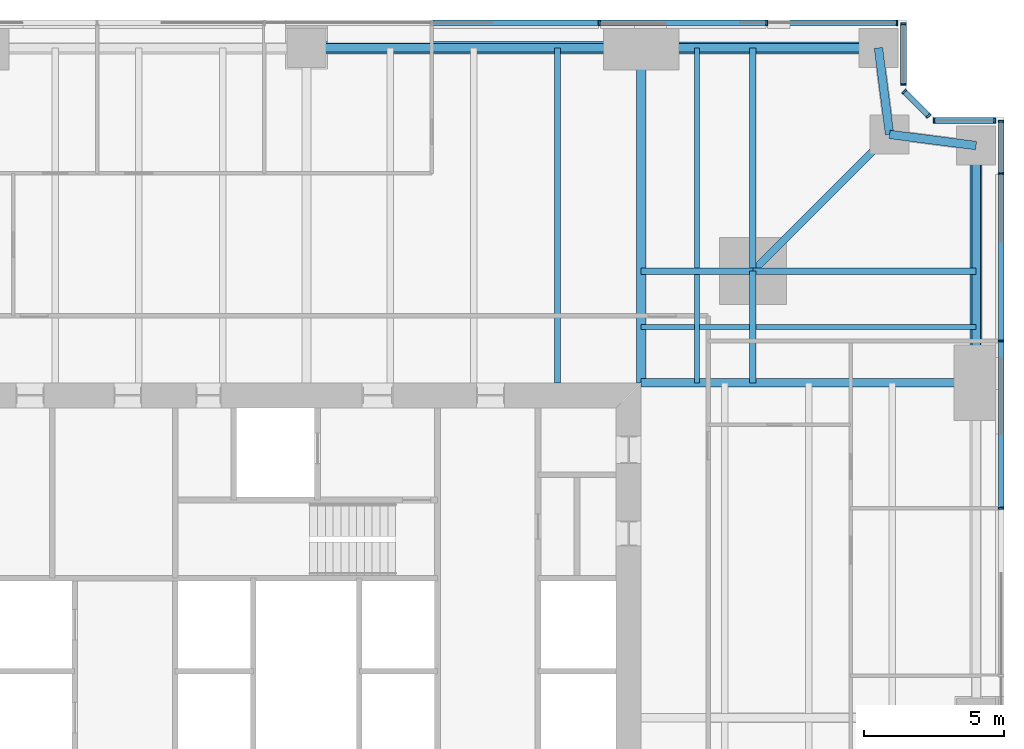
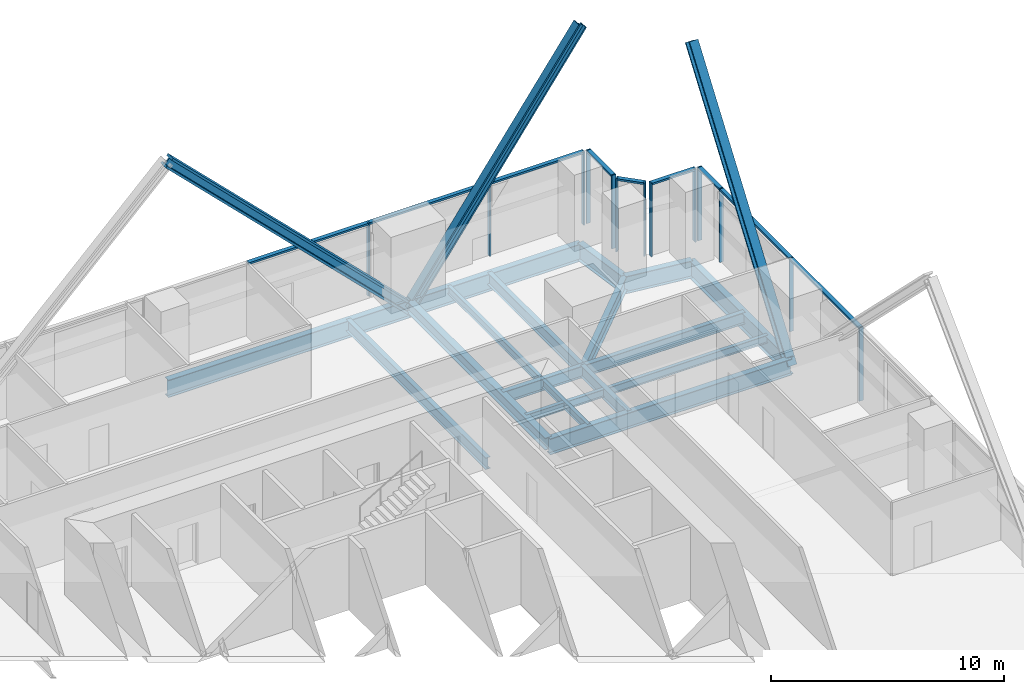
# One storey, part 7 of 14: 25 members, 18 beams, 5 elements without a shape of their own.
"""IFC4 building model written with IfcOpenShell, lengths in metres."""

from ifc_helpers import new_model, si_unit, direction, frame, origin, origin_2d, place, context, subcontext, project, spatial, rectangle, i_section, extrude, material, material_profile, profile_set, type_object, element, aggregate, save


model = new_model("IFC4")

# Units and contexts
model_context = context("Model", 3, precision=1e-05, world=origin(), true_north=direction((0.0, 1.0)))
body_context = subcontext(model_context, "Body", "Model", "MODEL_VIEW")
ifc_project = project(units=[si_unit("LENGTHUNIT", "METRE"), si_unit("AREAUNIT", "SQUARE_METRE"), si_unit("VOLUMEUNIT", "CUBIC_METRE"), si_unit("PLANEANGLEUNIT", "RADIAN"), si_unit("MASSUNIT", "GRAM", prefix="KILO")], contexts=[model_context])

# Site, building, storey
site_placement = place(None, origin())
site = spatial("IfcSite", under=ifc_project, at=site_placement, CompositionType="ELEMENT")
building_placement = place(site_placement, origin())
building = spatial("IfcBuilding", under=site, at=building_placement, Name="Fenwick Lantern Interchange", CompositionType="ELEMENT")
storey_placement = place(building_placement, frame((0.0, 0.0, 79.0)))
storey = spatial("IfcBuildingStorey", under=building, at=storey_placement, Name="L18", CompositionType="ELEMENT", Elevation=79.0)

# Beams
ifc_material_1 = material(Name="Steel ASTM A992 Grade 50", Category="steel")
ifc_material_profile_1 = material_profile(ifc_material_1, i_section(OverallWidth=0.3046875, OverallDepth=0.911865234375, WebThickness=0.015869140625, FlangeThickness=0.02392578125, at=origin_2d()), Name="W36X150")
ifc_profile_set_1 = profile_set([ifc_material_profile_1], Name="Steel ASTM A992 Grade 50")
beam_type_1 = type_object("IfcBeamType", Name="EDGE BEAM W36X150", PredefinedType="SPANDREL", material=ifc_profile_set_1)
beam_1_placement = place(storey_placement, frame((49.0, 37.0, -0.60595703125), z_axis=(0.0, 1.0, 0.0), x_axis=(-1.0, 0.0, 0.0)))
element("IfcBeam", 1, at=beam_1_placement, inside=storey, type_object=beam_type_1, Name="L18/FR/E/EB4", PredefinedType="SPANDREL", context=body_context, shape_type="SweptSolid", body=[
    extrude(i_section(OverallWidth=0.3046875, OverallDepth=0.911865234375, WebThickness=0.015869140625, FlangeThickness=0.02392578125, at=origin_2d()), origin(), (0.0, 0.0, 1.0), 8.5),
])
for number, where, z_axis, x_axis, name in (
    (2, (49.0, 45.5, -0.60595703125), (-0.991782342897, 0.127936641807, 0.0), (-0.127936641807, -0.991782342897, 0.0), "L18/FR/E/EBR1"),
    (3, (45.89990234375, 45.89990234375, -0.60595703125), (-0.127936641807, 0.991782342897, 0.0), (-0.991782342897, -0.127936641807, 0.0), "L18/FR/E/EBR2"),
):
    element("IfcBeam", number, at=place(storey_placement, frame(where, z_axis=z_axis, x_axis=x_axis)), inside=storey, type_object=beam_type_1, Name=name, PredefinedType="SPANDREL", context=body_context, shape_type="SweptSolid", body=[
        extrude(i_section(OverallWidth=0.3046875, OverallDepth=0.911865234375, WebThickness=0.015869140625, FlangeThickness=0.02392578125, at=origin_2d()), origin(), (0.0, 0.0, 1.0), 3.125732421875),
    ])
beam_2_placement = place(storey_placement, frame((45.5, 49.0, -0.60595703125), z_axis=(-1.0, 0.0, 0.0), x_axis=(0.0, -1.0, 0.0)))
element("IfcBeam", 4, at=beam_2_placement, inside=storey, type_object=beam_type_1, Name="L18/FR/N/EB1", PredefinedType="SPANDREL", context=body_context, shape_type="SweptSolid", body=[
    extrude(i_section(OverallWidth=0.3046875, OverallDepth=0.911865234375, WebThickness=0.015869140625, FlangeThickness=0.02392578125, at=origin_2d()), origin(), (0.0, 0.0, 1.0), 8.5),
])
beam_3_placement = place(storey_placement, frame((37.0, 49.0, -0.60595703125), z_axis=(-1.0, 0.0, 0.0), x_axis=(0.0, -1.0, 0.0)))
element("IfcBeam", 5, at=beam_3_placement, inside=storey, type_object=beam_type_1, Name="L18/FR/N/EB2", PredefinedType="SPANDREL", context=body_context, shape_type="SweptSolid", body=[
    extrude(i_section(OverallWidth=0.3046875, OverallDepth=0.911865234375, WebThickness=0.015869140625, FlangeThickness=0.02392578125, at=origin_2d()), origin(), (0.0, 0.0, 1.0), 12.0),
])

# Members
ifc_material_profile_2 = material_profile(ifc_material_1, i_section(OverallWidth=0.424072265625, OverallDepth=0.47509765625, WebThickness=0.0478515625, FlangeThickness=0.0771484375, at=origin_2d()), Name="W14X426")
ifc_profile_set_2 = profile_set([ifc_material_profile_2], Name="Steel ASTM A992 Grade 50")
member_type_1 = type_object("IfcMemberType", Name="FACADE BRACE W14X426", PredefinedType="BRACE", material=ifc_profile_set_2)
for number, where, z_axis, x_axis, name in (
    (6, (49.0, 37.0, -0.60595703125), (0.0, 0.581715408588, 0.813392392029), (-1.0, 0.0, 0.0), "L18/FB/E/BE"),
    (7, (37.0, 49.0, -0.60595703125), (0.581715408588, 0.0, 0.813392392029), (0.0, 1.0, 0.0), "L18/FB/N/AE"),
):
    element("IfcMember", number, at=place(storey_placement, frame(where, z_axis=z_axis, x_axis=x_axis)), inside=storey, type_object=member_type_1, Name=name, PredefinedType="BRACE", context=body_context, shape_type="SweptSolid", body=[
        extrude(i_section(OverallWidth=0.424072265625, OverallDepth=0.47509765625, WebThickness=0.0478515625, FlangeThickness=0.0771484375, at=origin_2d()), origin(), (0.0, 0.0, 1.0), 14.612060546875),
    ])
ifc_material_profile_3 = material_profile(ifc_material_1, i_section(OverallWidth=0.44189453125, OverallDepth=0.53076171875, WebThickness=0.06591796875, FlangeThickness=0.105712890625, at=origin_2d()), Name="W14X605")
ifc_profile_set_3 = profile_set([ifc_material_profile_3], Name="Steel ASTM A992 Grade 50")
member_type_2 = type_object("IfcMemberType", Name="FACADE BRACE W14X605", PredefinedType="BRACE", material=ifc_profile_set_3)
member_1_placement = place(storey_placement, frame((37.0, 49.0, -0.60595703125), z_axis=(-0.710495562956, 0.0, 0.703701680416), x_axis=(0.0, -1.0, 0.0)))
element("IfcMember", 8, at=member_1_placement, inside=storey, type_object=member_type_2, Name="L18/FB/N/A", PredefinedType="BRACE", context=body_context, shape_type="SweptSolid", body=[
    extrude(i_section(OverallWidth=0.44189453125, OverallDepth=0.53076171875, WebThickness=0.06591796875, FlangeThickness=0.105712890625, at=origin_2d()), origin(), (0.0, 0.0, 1.0), 16.8896484375),
])

# Beams
ifc_material_profile_4 = material_profile(ifc_material_1, i_section(OverallWidth=0.22900390625, OverallDepth=0.612060546875, WebThickness=0.011962890625, FlangeThickness=0.01953125, at=origin_2d()), Name="W24X84")
ifc_profile_set_4 = profile_set([ifc_material_profile_4], Name="Steel ASTM A992 Grade 50")
beam_type_2 = type_object("IfcBeamType", Name="FLOOR BEAM W24X84", PredefinedType="BEAM", material=ifc_profile_set_4)
beam_4_placement = place(storey_placement, frame((34.0, 49.0, -0.4560546875), z_axis=(0.0, -1.0, 0.0), x_axis=(1.0, 0.0, 0.0)))
element("IfcBeam", 9, at=beam_4_placement, inside=storey, type_object=beam_type_2, Name="L18/FR/N/R02", PredefinedType="BEAM", context=body_context, shape_type="SweptSolid", body=[
    extrude(i_section(OverallWidth=0.22900390625, OverallDepth=0.612060546875, WebThickness=0.011962890625, FlangeThickness=0.01953125, at=origin_2d()), origin(), (0.0, 0.0, 1.0), 12.0),
])
ifc_material_profile_5 = material_profile(ifc_material_1, i_section(OverallWidth=0.177734375, OverallDepth=0.406494140625, WebThickness=0.0078125, FlangeThickness=0.012939453125, at=origin_2d()), Name="W16X40")
ifc_profile_set_5 = profile_set([ifc_material_profile_5], Name="Steel ASTM A992 Grade 50")
beam_type_3 = type_object("IfcBeamType", Name="INFILL BEAM W16X40", PredefinedType="JOIST", material=ifc_profile_set_5)
beam_5_placement = place(storey_placement, frame((39.0, 49.0, -0.353271484375), z_axis=(0.0, -1.0, 0.0), x_axis=(1.0, 0.0, 0.0)))
element("IfcBeam", 10, at=beam_5_placement, inside=storey, type_object=beam_type_3, Name="L18/FR/N/J1", PredefinedType="JOIST", context=body_context, shape_type="SweptSolid", body=[
    extrude(i_section(OverallWidth=0.177734375, OverallDepth=0.406494140625, WebThickness=0.0078125, FlangeThickness=0.012939453125, at=origin_2d()), origin(), (0.0, 0.0, 1.0), 7.885498046875),
])
beam_6_placement = place(storey_placement, frame((39.0, 40.885498046875, -0.353271484375), z_axis=(0.0, -1.0, 0.0), x_axis=(1.0, 0.0, 0.0)))
element("IfcBeam", 11, at=beam_6_placement, inside=storey, type_object=beam_type_3, Name="L18/FR/N/J2", PredefinedType="JOIST", context=body_context, shape_type="SweptSolid", body=[
    extrude(i_section(OverallWidth=0.177734375, OverallDepth=0.406494140625, WebThickness=0.0078125, FlangeThickness=0.012939453125, at=origin_2d()), origin(), (0.0, 0.0, 1.0), 3.885498046875),
])
beam_7_placement = place(storey_placement, frame((49.0, 39.0, -0.353271484375), z_axis=(-1.0, 0.0, 0.0), x_axis=(0.0, -1.0, 0.0)))
element("IfcBeam", 12, at=beam_7_placement, inside=storey, type_object=beam_type_3, Name="L18/FR/N/J3", PredefinedType="JOIST", context=body_context, shape_type="SweptSolid", body=[
    extrude(i_section(OverallWidth=0.177734375, OverallDepth=0.406494140625, WebThickness=0.0078125, FlangeThickness=0.012939453125, at=origin_2d()), origin(), (0.0, 0.0, 1.0), 7.885498046875),
])
beam_8_placement = place(storey_placement, frame((40.885498046875, 39.0, -0.353271484375), z_axis=(-1.0, 0.0, 0.0), x_axis=(0.0, -1.0, 0.0)))
element("IfcBeam", 13, at=beam_8_placement, inside=storey, type_object=beam_type_3, Name="L18/FR/N/J4", PredefinedType="JOIST", context=body_context, shape_type="SweptSolid", body=[
    extrude(i_section(OverallWidth=0.177734375, OverallDepth=0.406494140625, WebThickness=0.0078125, FlangeThickness=0.012939453125, at=origin_2d()), origin(), (0.0, 0.0, 1.0), 1.796630859375),
])
beam_9_placement = place(storey_placement, frame((38.9111328125, 39.0, -0.353271484375), z_axis=(-1.0, 0.0, 0.0), x_axis=(0.0, -1.0, 0.0)))
element("IfcBeam", 14, at=beam_9_placement, inside=storey, type_object=beam_type_3, Name="L18/FR/N/J5", PredefinedType="JOIST", context=body_context, shape_type="SweptSolid", body=[
    extrude(i_section(OverallWidth=0.177734375, OverallDepth=0.406494140625, WebThickness=0.0078125, FlangeThickness=0.012939453125, at=origin_2d()), origin(), (0.0, 0.0, 1.0), 1.9111328125),
])
ifc_material_profile_6 = material_profile(ifc_material_1, i_section(OverallWidth=0.22900390625, OverallDepth=0.612060546875, WebThickness=0.011962890625, FlangeThickness=0.01953125, at=origin_2d()), Name="W24X84")
ifc_profile_set_6 = profile_set([ifc_material_profile_6], Name="Steel ASTM A992 Grade 50")
beam_type_4 = type_object("IfcBeamType", Name="MEGA COLUMN BEAM W24X84", PredefinedType="BEAM", material=ifc_profile_set_6)
for number, where, z_axis, x_axis, name in (
    (15, (41.0, 41.0, -0.4560546875), (0.0, 1.0, 0.0), (-1.0, 0.0, 0.0), "L18/FR/N/MB1"),
    (16, (41.0, 41.0, -0.4560546875), (1.0, 0.0, 0.0), (0.0, 1.0, 0.0), "L18/FR/N/MB2"),
):
    element("IfcBeam", number, at=place(storey_placement, frame(where, z_axis=z_axis, x_axis=x_axis)), inside=storey, type_object=beam_type_4, Name=name, PredefinedType="BEAM", context=body_context, shape_type="SweptSolid", body=[
        extrude(i_section(OverallWidth=0.22900390625, OverallDepth=0.612060546875, WebThickness=0.011962890625, FlangeThickness=0.01953125, at=origin_2d()), origin(), (0.0, 0.0, 1.0), 8.0),
    ])
for number, where, z_axis, x_axis, name in (
    (17, (41.0, 41.0, -0.4560546875), (-1.0, 0.0, 0.0), (0.0, -1.0, 0.0), "L18/FR/N/MB3"),
    (18, (41.0, 41.0, -0.4560546875), (0.0, -1.0, 0.0), (1.0, 0.0, 0.0), "L18/FR/N/MB4"),
):
    element("IfcBeam", number, at=place(storey_placement, frame(where, z_axis=z_axis, x_axis=x_axis)), inside=storey, type_object=beam_type_4, Name=name, PredefinedType="BEAM", context=body_context, shape_type="SweptSolid", body=[
        extrude(i_section(OverallWidth=0.22900390625, OverallDepth=0.612060546875, WebThickness=0.011962890625, FlangeThickness=0.01953125, at=origin_2d()), origin(), (0.0, 0.0, 1.0), 4.0),
    ])
ifc_material_profile_7 = material_profile(ifc_material_1, i_section(OverallWidth=0.32763671875, OverallDepth=0.622314453125, WebThickness=0.015380859375, FlangeThickness=0.0244140625, at=origin_2d()), Name="W24X131")
ifc_profile_set_7 = profile_set([ifc_material_profile_7], Name="Steel ASTM A992 Grade 50")
beam_type_5 = type_object("IfcBeamType", Name="MOMENT-CONNECTED GIRDER W24X131", PredefinedType="BEAM", material=ifc_profile_set_7)
beam_10_placement = place(storey_placement, frame((37.0, 49.0, -0.461181640625), z_axis=(0.0, -1.0, 0.0), x_axis=(1.0, 0.0, 0.0)))
element("IfcBeam", 19, at=beam_10_placement, inside=storey, type_object=beam_type_5, Name="L18/FR/N/R01", PredefinedType="BEAM", context=body_context, shape_type="SweptSolid", body=[
    extrude(i_section(OverallWidth=0.32763671875, OverallDepth=0.622314453125, WebThickness=0.015380859375, FlangeThickness=0.0244140625, at=origin_2d()), origin(), (0.0, 0.0, 1.0), 12.0),
])
ifc_material_profile_8 = material_profile(ifc_material_1, i_section(OverallWidth=0.2919921875, OverallDepth=0.845703125, WebThickness=0.015380859375, FlangeThickness=0.0244140625, at=origin_2d()), Name="W33X141")
ifc_profile_set_8 = profile_set([ifc_material_profile_8], Name="Steel ASTM A992 Grade 50")
beam_type_6 = type_object("IfcBeamType", Name="MOMENT-CONNECTED GIRDER W33X141", PredefinedType="BEAM", material=ifc_profile_set_8)
beam_11_placement = place(storey_placement, frame((49.0, 37.0, -0.572998046875), z_axis=(-1.0, 0.0, 0.0), x_axis=(0.0, -1.0, 0.0)))
element("IfcBeam", 20, at=beam_11_placement, inside=storey, type_object=beam_type_6, Name="L18/FR/E/R03", PredefinedType="BEAM", context=body_context, shape_type="SweptSolid", body=[
    extrude(i_section(OverallWidth=0.2919921875, OverallDepth=0.845703125, WebThickness=0.015380859375, FlangeThickness=0.0244140625, at=origin_2d()), origin(), (0.0, 0.0, 1.0), 12.0),
])
ifc_material_profile_9 = material_profile(ifc_material_1, i_section(OverallWidth=0.2666015625, OverallDepth=0.7568359375, WebThickness=0.013916015625, FlangeThickness=0.019287109375, at=origin_2d()), Name="W30X108")
ifc_profile_set_9 = profile_set([ifc_material_profile_9], Name="Steel ASTM A992 Grade 50")
beam_type_7 = type_object("IfcBeamType", Name="NOTCH BEAM W30X108", PredefinedType="BEAM", material=ifc_profile_set_9)
beam_12_placement = place(storey_placement, frame((41.0, 41.0, -0.528564453125), z_axis=(0.707106781187, 0.707106781187, 0.0), x_axis=(-0.707106781187, 0.707106781187, 0.0)))
element("IfcBeam", 21, at=beam_12_placement, inside=storey, type_object=beam_type_7, Name="L18/FR/N/TG", PredefinedType="BEAM", context=body_context, shape_type="SweptSolid", body=[
    extrude(i_section(OverallWidth=0.2666015625, OverallDepth=0.7568359375, WebThickness=0.013916015625, FlangeThickness=0.019287109375, at=origin_2d()), origin(), (0.0, 0.0, 1.0), 6.929443359375),
])

# Curtain wall, members
ifc_material_2 = material(Name="Aluminium curtain wall frame", Category="aluminium")
curtain_wall_type = type_object("IfcCurtainWallType", Name="OFFICE CURTAIN WALL", PredefinedType="USERDEFINED", material=ifc_material_2)
curtain_wall_1_placement = place(storey_placement, origin())
curtain_wall_1 = element("IfcCurtainWall", 22, at=curtain_wall_1_placement, inside=storey, type_object=curtain_wall_type, Name="Office curtain wall 05", ObjectType="OFFICE CURTAIN WALL", PredefinedType="USERDEFINED")
ifc_material_3 = material(Name="Aluminium extrusion", Category="aluminium")
ifc_material_profile_10 = material_profile(ifc_material_3, rectangle(XDim=0.199951171875, YDim=0.06494140625, at=origin_2d()), Name="OFFICE CURTAIN WALL MULLION 65 X 200")
ifc_profile_set_10 = profile_set([ifc_material_profile_10], Name="Aluminium extrusion")
member_type_3 = type_object("IfcMemberType", Name="OFFICE CURTAIN WALL MULLION 65 X 200", PredefinedType="MULLION", material=ifc_profile_set_10)
member_2_placement = place(storey_placement, frame((49.89990234375, 32.5, 0.0), z_axis=(0.0, 0.0, 1.0), x_axis=(-1.0, 0.0, 0.0)))
member_2 = element("IfcMember", 23, at=member_2_placement, type_object=member_type_3, Name="L18/CW/05/M05", PredefinedType="MULLION", context=body_context, shape_type="SweptSolid", body=[
    extrude(rectangle(XDim=0.199951171875, YDim=0.06494140625, at=origin_2d()), origin(), (0.0, 0.0, 1.0), 3.85009765625),
])
member_3_placement = place(storey_placement, frame((49.89990234375, 38.5, 0.0), z_axis=(0.0, 0.0, 1.0), x_axis=(-1.0, 0.0, 0.0)))
member_3 = element("IfcMember", 24, at=member_3_placement, type_object=member_type_3, Name="L18/CW/05/M06", PredefinedType="MULLION", context=body_context, shape_type="SweptSolid", body=[
    extrude(rectangle(XDim=0.199951171875, YDim=0.06494140625, at=origin_2d()), origin(), (0.0, 0.0, 1.0), 3.85009765625),
])
member_4_placement = place(storey_placement, frame((49.89990234375, 44.5, 0.0), z_axis=(0.0, 0.0, 1.0), x_axis=(-1.0, 0.0, 0.0)))
member_4 = element("IfcMember", 25, at=member_4_placement, type_object=member_type_3, Name="L18/CW/05/M07", PredefinedType="MULLION", context=body_context, shape_type="SweptSolid", body=[
    extrude(rectangle(XDim=0.199951171875, YDim=0.06494140625, at=origin_2d()), origin(), (0.0, 0.0, 1.0), 3.85009765625),
])
member_5_placement = place(storey_placement, frame((49.89990234375, 46.367431640625, 0.0), z_axis=(0.0, 0.0, 1.0), x_axis=(-1.0, 0.0, 0.0)))
member_5 = element("IfcMember", 26, at=member_5_placement, type_object=member_type_3, Name="L18/CW/05/M08", PredefinedType="MULLION", context=body_context, shape_type="SweptSolid", body=[
    extrude(rectangle(XDim=0.199951171875, YDim=0.06494140625, at=origin_2d()), origin(), (0.0, 0.0, 1.0), 3.85009765625),
])

curtain_wall_2_placement = place(storey_placement, origin())
curtain_wall_2 = element("IfcCurtainWall", 27, at=curtain_wall_2_placement, inside=storey, type_object=curtain_wall_type, Name="Office curtain wall 06", ObjectType="OFFICE CURTAIN WALL", PredefinedType="USERDEFINED")
member_6_placement = place(storey_placement, frame((49.66748046875, 46.39990234375, 0.0), z_axis=(0.0, 0.0, 1.0), x_axis=(0.0, -1.0, 0.0)))
member_6 = element("IfcMember", 28, at=member_6_placement, type_object=member_type_3, Name="L18/CW/06/M00", PredefinedType="MULLION", context=body_context, shape_type="SweptSolid", body=[
    extrude(rectangle(XDim=0.199951171875, YDim=0.06494140625, at=origin_2d()), origin(), (0.0, 0.0, 1.0), 3.85009765625),
])
member_7_placement = place(storey_placement, frame((47.490966796875, 46.39990234375, 0.0), z_axis=(0.0, 0.0, 1.0), x_axis=(0.0, -1.0, 0.0)))
member_7 = element("IfcMember", 29, at=member_7_placement, type_object=member_type_3, Name="L18/CW/06/M01", PredefinedType="MULLION", context=body_context, shape_type="SweptSolid", body=[
    extrude(rectangle(XDim=0.199951171875, YDim=0.06494140625, at=origin_2d()), origin(), (0.0, 0.0, 1.0), 3.85009765625),
])

curtain_wall_3_placement = place(storey_placement, origin())
curtain_wall_3 = element("IfcCurtainWall", 30, at=curtain_wall_3_placement, inside=storey, type_object=curtain_wall_type, Name="Office curtain wall 07", ObjectType="OFFICE CURTAIN WALL", PredefinedType="USERDEFINED")
member_8_placement = place(storey_placement, frame((47.294189453125, 46.564453125, 0.0), z_axis=(0.0, 0.0, 1.0), x_axis=(-0.707106781187, -0.707106781187, 0.0)))
member_8 = element("IfcMember", 31, at=member_8_placement, type_object=member_type_3, Name="L18/CW/07/M00", PredefinedType="MULLION", context=body_context, shape_type="SweptSolid", body=[
    extrude(rectangle(XDim=0.199951171875, YDim=0.06494140625, at=origin_2d()), origin(), (0.0, 0.0, 1.0), 3.85009765625),
])
member_9_placement = place(storey_placement, frame((46.423095703125, 47.435546875, 0.0), z_axis=(0.0, 0.0, 1.0), x_axis=(-0.707106781187, -0.707106781187, 0.0)))
member_9 = element("IfcMember", 32, at=member_9_placement, type_object=member_type_3, Name="L18/CW/07/M01", PredefinedType="MULLION", context=body_context, shape_type="SweptSolid", body=[
    extrude(rectangle(XDim=0.199951171875, YDim=0.06494140625, at=origin_2d()), origin(), (0.0, 0.0, 1.0), 3.85009765625),
])

curtain_wall_4_placement = place(storey_placement, origin())
curtain_wall_4 = element("IfcCurtainWall", 33, at=curtain_wall_4_placement, inside=storey, type_object=curtain_wall_type, Name="Office curtain wall 08", ObjectType="OFFICE CURTAIN WALL", PredefinedType="USERDEFINED")
member_10_placement = place(storey_placement, frame((46.39990234375, 47.691162109375, 0.0), z_axis=(0.0, 0.0, 1.0), x_axis=(-1.0, 0.0, 0.0)))
member_10 = element("IfcMember", 34, at=member_10_placement, type_object=member_type_3, Name="L18/CW/08/M00", PredefinedType="MULLION", context=body_context, shape_type="SweptSolid", body=[
    extrude(rectangle(XDim=0.199951171875, YDim=0.06494140625, at=origin_2d()), origin(), (0.0, 0.0, 1.0), 3.85009765625),
])
member_11_placement = place(storey_placement, frame((46.39990234375, 49.867431640625, 0.0), z_axis=(0.0, 0.0, 1.0), x_axis=(-1.0, 0.0, 0.0)))
member_11 = element("IfcMember", 35, at=member_11_placement, type_object=member_type_3, Name="L18/CW/08/M01", PredefinedType="MULLION", context=body_context, shape_type="SweptSolid", body=[
    extrude(rectangle(XDim=0.199951171875, YDim=0.06494140625, at=origin_2d()), origin(), (0.0, 0.0, 1.0), 3.85009765625),
])

curtain_wall_5_placement = place(storey_placement, origin())
curtain_wall_5 = element("IfcCurtainWall", 36, at=curtain_wall_5_placement, inside=storey, type_object=curtain_wall_type, Name="Office curtain wall 09", ObjectType="OFFICE CURTAIN WALL", PredefinedType="USERDEFINED")
member_12_placement = place(storey_placement, frame((46.16748046875, 49.89990234375, 0.0), z_axis=(0.0, 0.0, 1.0), x_axis=(0.0, -1.0, 0.0)))
member_12 = element("IfcMember", 37, at=member_12_placement, type_object=member_type_3, Name="L18/CW/09/M00", PredefinedType="MULLION", context=body_context, shape_type="SweptSolid", body=[
    extrude(rectangle(XDim=0.199951171875, YDim=0.06494140625, at=origin_2d()), origin(), (0.0, 0.0, 1.0), 3.85009765625),
])
member_13_placement = place(storey_placement, frame((41.5, 49.89990234375, 0.0), z_axis=(0.0, 0.0, 1.0), x_axis=(0.0, -1.0, 0.0)))
member_13 = element("IfcMember", 38, at=member_13_placement, type_object=member_type_3, Name="L18/CW/09/M01", PredefinedType="MULLION", context=body_context, shape_type="SweptSolid", body=[
    extrude(rectangle(XDim=0.199951171875, YDim=0.06494140625, at=origin_2d()), origin(), (0.0, 0.0, 1.0), 3.85009765625),
])
member_14_placement = place(storey_placement, frame((35.5, 49.89990234375, 0.0), z_axis=(0.0, 0.0, 1.0), x_axis=(0.0, -1.0, 0.0)))
member_14 = element("IfcMember", 39, at=member_14_placement, type_object=member_type_3, Name="L18/CW/09/M02", PredefinedType="MULLION", context=body_context, shape_type="SweptSolid", body=[
    extrude(rectangle(XDim=0.199951171875, YDim=0.06494140625, at=origin_2d()), origin(), (0.0, 0.0, 1.0), 3.85009765625),
])

# Member
ifc_material_profile_11 = material_profile(ifc_material_3, rectangle(XDim=0.199951171875, YDim=0.10009765625, at=origin_2d()), Name="OFFICE CURTAIN WALL TRANSOM 100 X 200")
ifc_profile_set_11 = profile_set([ifc_material_profile_11], Name="Aluminium extrusion")
member_type_4 = type_object("IfcMemberType", Name="OFFICE CURTAIN WALL TRANSOM 100 X 200", PredefinedType="MULLION", material=ifc_profile_set_11)
member_15_placement = place(storey_placement, frame((49.89990234375, 32.532470703125, 3.800048828125), z_axis=(0.0, 1.0, 0.0), x_axis=(-1.0, 0.0, 0.0)))
member_15 = element("IfcMember", 40, at=member_15_placement, type_object=member_type_4, Name="L18/CW/05/T05", PredefinedType="MULLION", context=body_context, shape_type="SweptSolid", body=[
    extrude(rectangle(XDim=0.199951171875, YDim=0.10009765625, at=origin_2d()), origin(), (0.0, 0.0, 1.0), 5.93505859375),
])

member_16_placement = place(storey_placement, frame((49.89990234375, 38.532470703125, 3.800048828125), z_axis=(0.0, 1.0, 0.0), x_axis=(-1.0, 0.0, 0.0)))
member_16 = element("IfcMember", 41, at=member_16_placement, type_object=member_type_4, Name="L18/CW/05/T06", PredefinedType="MULLION", context=body_context, shape_type="SweptSolid", body=[
    extrude(rectangle(XDim=0.199951171875, YDim=0.10009765625, at=origin_2d()), origin(), (0.0, 0.0, 1.0), 5.93505859375),
])

member_17_placement = place(storey_placement, frame((49.89990234375, 44.532470703125, 3.800048828125), z_axis=(0.0, 1.0, 0.0), x_axis=(-1.0, 0.0, 0.0)))
member_17 = element("IfcMember", 42, at=member_17_placement, type_object=member_type_4, Name="L18/CW/05/T07", PredefinedType="MULLION", context=body_context, shape_type="SweptSolid", body=[
    extrude(rectangle(XDim=0.199951171875, YDim=0.10009765625, at=origin_2d()), origin(), (0.0, 0.0, 1.0), 1.802490234375),
])

aggregate(curtain_wall_1, [member_2, member_3, member_4, member_5, member_15, member_16, member_17])

member_18_placement = place(storey_placement, frame((49.635009765625, 46.39990234375, 3.800048828125), z_axis=(-1.0, 0.0, 0.0), x_axis=(0.0, -1.0, 0.0)))
member_18 = element("IfcMember", 43, at=member_18_placement, type_object=member_type_4, Name="L18/CW/06/T00", PredefinedType="MULLION", context=body_context, shape_type="SweptSolid", body=[
    extrude(rectangle(XDim=0.199951171875, YDim=0.10009765625, at=origin_2d()), origin(), (0.0, 0.0, 1.0), 2.111328125),
])

aggregate(curtain_wall_2, [member_6, member_7, member_18])

member_19_placement = place(storey_placement, frame((47.271240234375, 46.58740234375, 3.800048828125), z_axis=(-0.707106781187, 0.707106781187, 0.0), x_axis=(-0.707106781187, -0.707106781187, 0.0)))
member_19 = element("IfcMember", 44, at=member_19_placement, type_object=member_type_4, Name="L18/CW/07/T00", PredefinedType="MULLION", context=body_context, shape_type="SweptSolid", body=[
    extrude(rectangle(XDim=0.199951171875, YDim=0.10009765625, at=origin_2d()), origin(), (0.0, 0.0, 1.0), 1.1669921875),
])

aggregate(curtain_wall_3, [member_8, member_9, member_19])

member_20_placement = place(storey_placement, frame((46.39990234375, 47.7236328125, 3.800048828125), z_axis=(0.0, 1.0, 0.0), x_axis=(-1.0, 0.0, 0.0)))
member_20 = element("IfcMember", 45, at=member_20_placement, type_object=member_type_4, Name="L18/CW/08/T00", PredefinedType="MULLION", context=body_context, shape_type="SweptSolid", body=[
    extrude(rectangle(XDim=0.199951171875, YDim=0.10009765625, at=origin_2d()), origin(), (0.0, 0.0, 1.0), 2.111328125),
])

aggregate(curtain_wall_4, [member_10, member_11, member_20])

member_21_placement = place(storey_placement, frame((46.135009765625, 49.89990234375, 3.800048828125), z_axis=(-1.0, 0.0, 0.0), x_axis=(0.0, -1.0, 0.0)))
member_21 = element("IfcMember", 46, at=member_21_placement, type_object=member_type_4, Name="L18/CW/09/T00", PredefinedType="MULLION", context=body_context, shape_type="SweptSolid", body=[
    extrude(rectangle(XDim=0.199951171875, YDim=0.10009765625, at=origin_2d()), origin(), (0.0, 0.0, 1.0), 4.6025390625),
])

member_22_placement = place(storey_placement, frame((41.467529296875, 49.89990234375, 3.800048828125), z_axis=(-1.0, 0.0, 0.0), x_axis=(0.0, -1.0, 0.0)))
member_22 = element("IfcMember", 47, at=member_22_placement, type_object=member_type_4, Name="L18/CW/09/T01", PredefinedType="MULLION", context=body_context, shape_type="SweptSolid", body=[
    extrude(rectangle(XDim=0.199951171875, YDim=0.10009765625, at=origin_2d()), origin(), (0.0, 0.0, 1.0), 5.93505859375),
])

member_23_placement = place(storey_placement, frame((35.467529296875, 49.89990234375, 3.800048828125), z_axis=(-1.0, 0.0, 0.0), x_axis=(0.0, -1.0, 0.0)))
member_23 = element("IfcMember", 48, at=member_23_placement, type_object=member_type_4, Name="L18/CW/09/T02", PredefinedType="MULLION", context=body_context, shape_type="SweptSolid", body=[
    extrude(rectangle(XDim=0.199951171875, YDim=0.10009765625, at=origin_2d()), origin(), (0.0, 0.0, 1.0), 5.93505859375),
])

aggregate(curtain_wall_5, [member_12, member_13, member_14, member_21, member_22, member_23])

save(model, "model.ifc")
